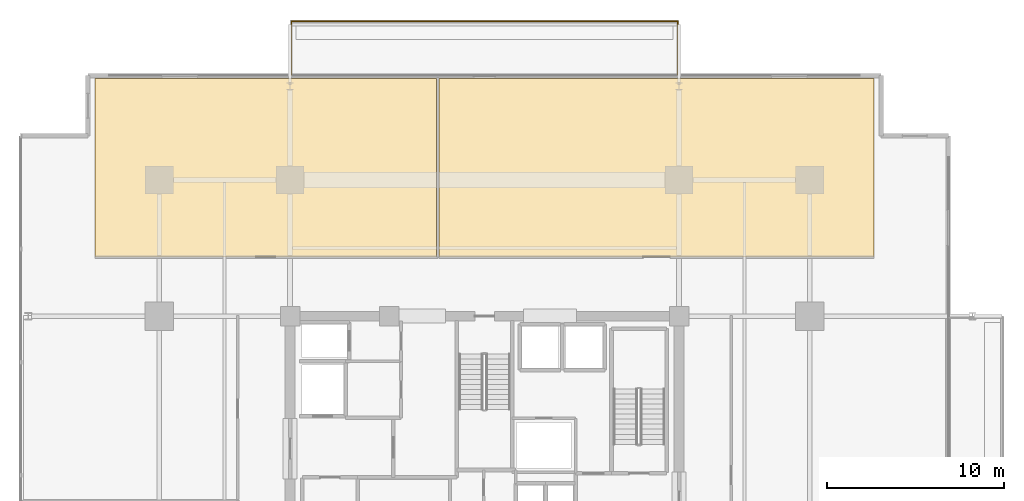
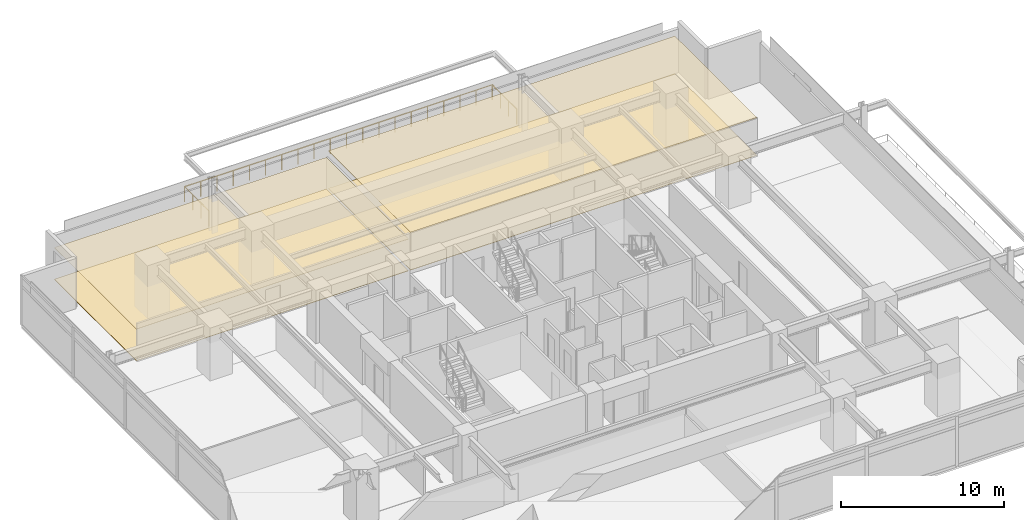
# One storey, part 20 of 20: 4 coverings, 1 railing.
"""IFC4 building model written with IfcOpenShell, lengths in metres."""

from ifc_helpers import new_model, si_unit, direction, frame, origin, origin_2d, place, context, subcontext, project, spatial, polyline, circle, outline, extrude, material, layer, layer_set, type_object, element, save


model = new_model("IFC4")

# Units and contexts
model_context = context("Model", 3, precision=1e-05, world=origin(), true_north=direction((0.0, 1.0)))
body_context = subcontext(model_context, "Body", "Model", "MODEL_VIEW")
ifc_project = project(units=[si_unit("LENGTHUNIT", "METRE"), si_unit("AREAUNIT", "SQUARE_METRE"), si_unit("VOLUMEUNIT", "CUBIC_METRE"), si_unit("PLANEANGLEUNIT", "RADIAN"), si_unit("MASSUNIT", "GRAM", prefix="KILO")], contexts=[model_context])

# Site, building, storey
site_placement = place(None, origin())
site = spatial("IfcSite", under=ifc_project, at=site_placement, CompositionType="ELEMENT")
building_placement = place(site_placement, origin())
building = spatial("IfcBuilding", under=site, at=building_placement, Name="Kovane Verandah Tower", CompositionType="ELEMENT")
storey_placement = place(building_placement, frame((0.0, 0.0, 128.39990234375)))
storey = spatial("IfcBuildingStorey", under=building, at=storey_placement, Name="L29", CompositionType="ELEMENT", Elevation=128.39990234375)

# Coverings
ifc_material_1 = material(Name="Perforated Acoustic Mineral-Fibre Ceiling Tile", Category="gypsum")
ifc_layer_1 = layer(ifc_material_1, 0.02490234375)
ifc_layer_set_1 = layer_set([ifc_layer_1], Name="Perforated Acoustic Mineral-Fibre Ceiling Tile")
covering_type_1 = type_object("IfcCoveringType", Name="CV-CEIL-25", PredefinedType="CEILING", material=ifc_layer_set_1)
covering_1_placement = place(storey_placement, frame((0.0, 0.0, 2.380126953125)))
element("IfcCovering", 1, at=covering_1_placement, inside=storey, type_object=covering_type_1, Name="L29 Executive Office N1 Acoustic Ceiling", PredefinedType="CEILING", context=body_context, shape_type="SweptSolid", body=[
    extrude(outline(polyline([(17.97119140625, 39.85009765625), (37.28662109375, 39.85009765625), (37.28662109375, 49.9501953125), (17.97119140625, 49.9501953125), (17.97119140625, 39.85009765625)])), origin(), (0.0, 0.0, 1.0), 0.02490234375),
])
covering_2_placement = place(storey_placement, frame((0.0, 0.0, 2.8251953125)))
element("IfcCovering", 2, at=covering_2_placement, inside=storey, type_object=covering_type_1, Name="L29 Client Boardroom N2 Acoustic Ceiling", PredefinedType="CEILING", context=body_context, shape_type="SweptSolid", body=[
    extrude(outline(polyline([(37.426513671875, 39.85009765625), (62.02880859375, 39.85009765625), (62.02880859375, 49.9501953125), (37.426513671875, 49.9501953125), (37.426513671875, 39.85009765625)])), origin(), (0.0, 0.0, 1.0), 0.02490234375),
])
ifc_material_2 = material(Name="Polished Terrazzo and Raised-Access Carpet Tile Finish", Category="concrete")
ifc_layer_2 = layer(ifc_material_2, 0.030029296875)
ifc_layer_set_2 = layer_set([ifc_layer_2], Name="Polished Terrazzo and Raised-Access Carpet Tile Finish")
covering_type_2 = type_object("IfcCoveringType", Name="CV-FLOR-30", PredefinedType="FLOORING", material=ifc_layer_set_2)
covering_3_placement = place(storey_placement, origin())
element("IfcCovering", 3, at=covering_3_placement, inside=storey, type_object=covering_type_2, Name="L29 Executive Office N1 Floor Finish", PredefinedType="FLOORING", context=body_context, shape_type="SweptSolid", body=[
    extrude(outline(polyline([(17.97119140625, 39.85009765625), (37.28662109375, 39.85009765625), (37.28662109375, 49.9501953125), (17.97119140625, 49.9501953125), (17.97119140625, 39.85009765625)])), origin(), (0.0, 0.0, 1.0), 0.030029296875),
])
covering_4_placement = place(storey_placement, origin())
element("IfcCovering", 4, at=covering_4_placement, inside=storey, type_object=covering_type_2, Name="L29 Client Boardroom N2 Floor Finish", PredefinedType="FLOORING", context=body_context, shape_type="SweptSolid", body=[
    extrude(outline(polyline([(37.426513671875, 39.85009765625), (62.02880859375, 39.85009765625), (62.02880859375, 49.9501953125), (37.426513671875, 49.9501953125), (37.426513671875, 39.85009765625)])), origin(), (0.0, 0.0, 1.0), 0.030029296875),
])

# Railing
ifc_material_3 = material(Name="Laminated Glass and Pale-Champagne Stainless Balustrade", Category="glass")
railing_type = type_object("IfcRailingType", Name="RL-BAL-1150", PredefinedType="BALUSTRADE", material=ifc_material_3)
railing_placement = place(storey_placement, frame((29.080078125, 50.150146484375, 0.0)))
element("IfcRailing", 5, at=railing_placement, inside=storey, type_object=railing_type, Name="L29 N Verandah Glass Balustrade", PredefinedType="BALUSTRADE", context=body_context, shape_type="SweptSolid", body=[
    extrude(circle(Radius=0.02392578125, at=origin_2d()), frame((0.0, 0.0, 1.1259765625), z_axis=(0.0, 1.0, 0.0), x_axis=(-1.0, 0.0, 0.0)), (0.0, 0.0, 1.0), 3.02001953125),
    extrude(circle(Radius=0.02392578125, at=origin_2d()), frame((0.0, 3.02001953125, 1.1259765625), z_axis=(1.0, 0.0, 0.0), x_axis=(0.0, 1.0, 0.0)), (0.0, 0.0, 1.0), 21.83984375),
    extrude(circle(Radius=0.02392578125, at=origin_2d()), frame((21.83984375, 3.02001953125, 1.1259765625), z_axis=(0.0, -1.0, 0.0), x_axis=(1.0, 0.0, 0.0)), (0.0, 0.0, 1.0), 3.02001953125),
    extrude(circle(Radius=0.02099609375, at=origin_2d()), origin(), (0.0, 0.0, 1.0), 1.101806640625),
    extrude(circle(Radius=0.02099609375, at=origin_2d()), frame((0.0, 1.006591796875, 0.0)), (0.0, 0.0, 1.0), 1.101806640625),
    extrude(circle(Radius=0.02099609375, at=origin_2d()), frame((0.0, 2.013427734375, 0.0)), (0.0, 0.0, 1.0), 1.101806640625),
    extrude(circle(Radius=0.02099609375, at=origin_2d()), frame((0.0, 3.02001953125, 0.0)), (0.0, 0.0, 1.0), 1.101806640625),
    extrude(circle(Radius=0.02099609375, at=origin_2d()), frame((1.1494140625, 3.02001953125, 0.0)), (0.0, 0.0, 1.0), 1.101806640625),
    extrude(circle(Radius=0.02099609375, at=origin_2d()), frame((2.298828125, 3.02001953125, 0.0)), (0.0, 0.0, 1.0), 1.101806640625),
    extrude(circle(Radius=0.02099609375, at=origin_2d()), frame((3.448486328125, 3.02001953125, 0.0)), (0.0, 0.0, 1.0), 1.101806640625),
    extrude(circle(Radius=0.02099609375, at=origin_2d()), frame((4.597900390625, 3.02001953125, 0.0)), (0.0, 0.0, 1.0), 1.101806640625),
    extrude(circle(Radius=0.02099609375, at=origin_2d()), frame((5.747314453125, 3.02001953125, 0.0)), (0.0, 0.0, 1.0), 1.101806640625),
    extrude(circle(Radius=0.02099609375, at=origin_2d()), frame((6.896728515625, 3.02001953125, 0.0)), (0.0, 0.0, 1.0), 1.101806640625),
    extrude(circle(Radius=0.02099609375, at=origin_2d()), frame((8.046142578125, 3.02001953125, 0.0)), (0.0, 0.0, 1.0), 1.101806640625),
    extrude(circle(Radius=0.02099609375, at=origin_2d()), frame((9.19580078125, 3.02001953125, 0.0)), (0.0, 0.0, 1.0), 1.101806640625),
    extrude(circle(Radius=0.02099609375, at=origin_2d()), frame((10.34521484375, 3.02001953125, 0.0)), (0.0, 0.0, 1.0), 1.101806640625),
    extrude(circle(Radius=0.02099609375, at=origin_2d()), frame((11.49462890625, 3.02001953125, 0.0)), (0.0, 0.0, 1.0), 1.101806640625),
    extrude(circle(Radius=0.02099609375, at=origin_2d()), frame((12.64404296875, 3.02001953125, 0.0)), (0.0, 0.0, 1.0), 1.101806640625),
    extrude(circle(Radius=0.02099609375, at=origin_2d()), frame((13.793701171875, 3.02001953125, 0.0)), (0.0, 0.0, 1.0), 1.101806640625),
    extrude(circle(Radius=0.02099609375, at=origin_2d()), frame((14.943115234375, 3.02001953125, 0.0)), (0.0, 0.0, 1.0), 1.101806640625),
    extrude(circle(Radius=0.02099609375, at=origin_2d()), frame((16.092529296875, 3.02001953125, 0.0)), (0.0, 0.0, 1.0), 1.101806640625),
    extrude(circle(Radius=0.02099609375, at=origin_2d()), frame((17.241943359375, 3.02001953125, 0.0)), (0.0, 0.0, 1.0), 1.101806640625),
    extrude(circle(Radius=0.02099609375, at=origin_2d()), frame((18.391357421875, 3.02001953125, 0.0)), (0.0, 0.0, 1.0), 1.101806640625),
    extrude(circle(Radius=0.02099609375, at=origin_2d()), frame((19.541015625, 3.02001953125, 0.0)), (0.0, 0.0, 1.0), 1.101806640625),
    extrude(circle(Radius=0.02099609375, at=origin_2d()), frame((20.6904296875, 3.02001953125, 0.0)), (0.0, 0.0, 1.0), 1.101806640625),
    extrude(circle(Radius=0.02099609375, at=origin_2d()), frame((21.83984375, 3.02001953125, 0.0)), (0.0, 0.0, 1.0), 1.101806640625),
    extrude(circle(Radius=0.02099609375, at=origin_2d()), frame((21.83984375, 2.013427734375, 0.0)), (0.0, 0.0, 1.0), 1.101806640625),
    extrude(circle(Radius=0.02099609375, at=origin_2d()), frame((21.83984375, 1.006591796875, 0.0)), (0.0, 0.0, 1.0), 1.101806640625),
    extrude(circle(Radius=0.02099609375, at=origin_2d()), frame((21.83984375, 0.0, 0.0)), (0.0, 0.0, 1.0), 1.101806640625),
])

save(model, "model.ifc")
